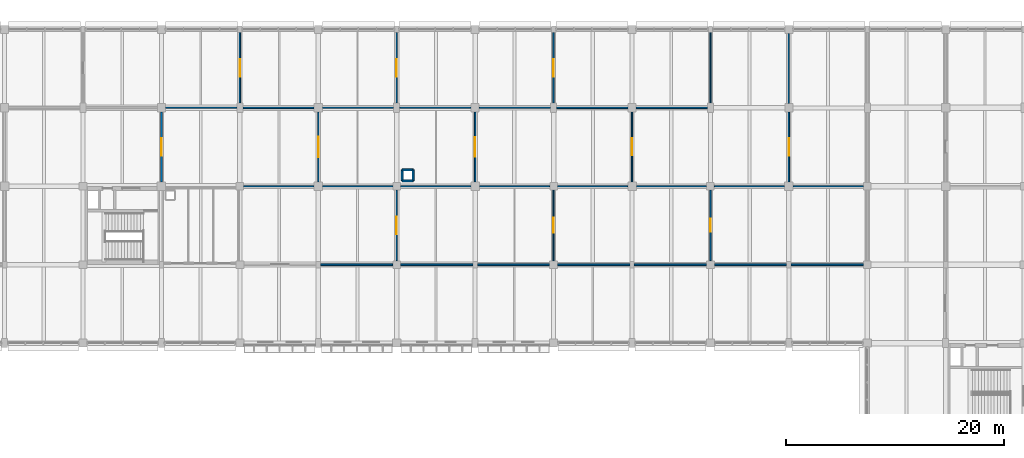
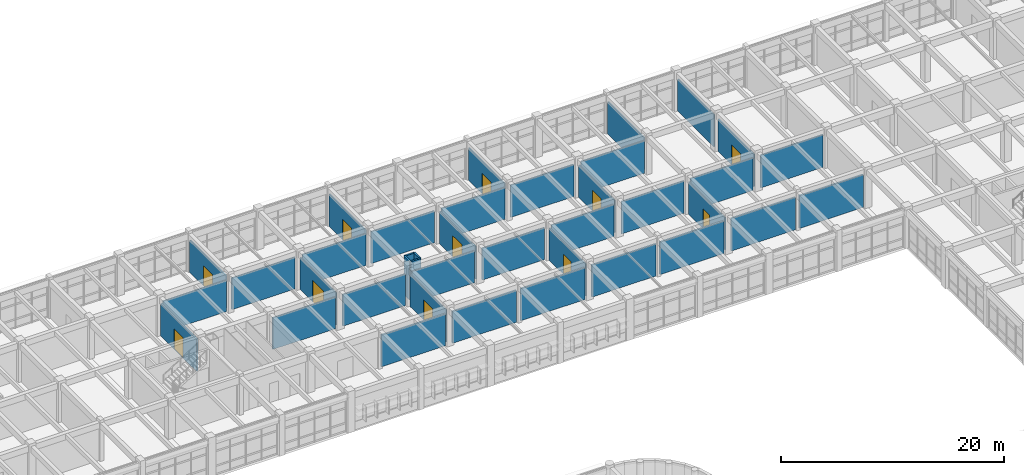
# One storey, part 158 of 171: 39 walls, 11 doors, 11 openings.
"""IFC4 building model written with IfcOpenShell, lengths in metres."""

from ifc_helpers import new_model, si_unit, direction, frame, frame_2d, origin, place, context, subcontext, project, spatial, rectangle, extrude, material, layer, layer_set, type_object, element, fill, save


model = new_model("IFC4")

# Units and contexts
model_context = context("Model", 3, precision=1e-05, world=origin(), true_north=direction((0.0, 1.0)))
body_context = subcontext(model_context, "Body", "Model", "MODEL_VIEW")
ifc_project = project(units=[si_unit("LENGTHUNIT", "METRE"), si_unit("AREAUNIT", "SQUARE_METRE"), si_unit("VOLUMEUNIT", "CUBIC_METRE"), si_unit("PLANEANGLEUNIT", "RADIAN"), si_unit("MASSUNIT", "GRAM", prefix="KILO")], contexts=[model_context])

# Site, building, storey
site_placement = place(None, origin())
site = spatial("IfcSite", under=ifc_project, at=site_placement, CompositionType="ELEMENT")
building_placement = place(site_placement, origin())
building = spatial("IfcBuilding", under=site, at=building_placement, Name="Thalmaran Polytechnic", CompositionType="ELEMENT")
storey_placement = place(building_placement, frame((0.0, 0.0, 5.39990234375)))
storey = spatial("IfcBuildingStorey", under=building, at=storey_placement, Name="L01", CompositionType="ELEMENT", Elevation=5.39990234375)

# Walls
ifc_material_1 = material(Name="Autoclaved aerated masonry", Category="masonry")
ifc_layer_1 = layer(ifc_material_1, 0.179931640625, Name="Autoclaved aerated masonry")
ifc_layer_set_1 = layer_set([ifc_layer_1], Name="Autoclaved aerated masonry")
wall_type_1 = type_object("IfcWallType", Name="WL-IW04", PredefinedType="PARTITIONING", material=ifc_layer_set_1)
for number, where, z_axis, x_axis, name in (
    (1, (86.889892578125, 108.489990234375, 0.0), (0.0, 0.0, 1.0), (1.0, 0.0, 0.0), "Fume Exhaust Riser Shaft Wall L01 (12,15)-S"),
    (2, (87.909912109375, 108.489990234375, 0.0), (0.0, 0.0, 1.0), (0.0, 1.0, 0.0), "Fume Exhaust Riser Shaft Wall L01 (12,15)-E"),
    (3, (87.909912109375, 109.510009765625, 0.0), (0.0, 0.0, 1.0), (-1.0, 0.0, 0.0), "Fume Exhaust Riser Shaft Wall L01 (12,15)-N"),
    (4, (86.889892578125, 109.510009765625, 0.0), (0.0, 0.0, 1.0), (0.0, -1.0, 0.0), "Fume Exhaust Riser Shaft Wall L01 (12,15)-W"),
):
    element("IfcWall", number, at=place(storey_placement, frame(where, z_axis=z_axis, x_axis=x_axis)), inside=storey, type_object=wall_type_1, Name=name, PredefinedType="PARTITIONING", context=body_context, shape_type="SweptSolid", body=[
        extrude(rectangle(XDim=1.02001953125, YDim=0.179931640625, at=frame_2d((0.510009765625, 0.0))), origin(), (0.0, 0.0, 1.0), 4.210205078125),
    ])

# Wall, opening, door
ifc_material_2 = material(Name="Gypsum acoustic partition")
ifc_layer_2 = layer(ifc_material_2, 0.159912109375, Name="Gypsum acoustic partition")
ifc_layer_set_2 = layer_set([ifc_layer_2], Name="Gypsum acoustic partition")
wall_type_2 = type_object("IfcWallType", Name="WL-IW05", PredefinedType="PARTITIONING", material=ifc_layer_set_2)
wall_1_placement = place(storey_placement, frame((64.800048828125, 108.39501953125, 0.0), z_axis=(0.0, 0.0, 1.0), x_axis=(0.0, 1.0, 0.0)))
wall_1 = element("IfcWall", 5, at=wall_1_placement, inside=storey, type_object=wall_type_2, Name="Interior Partition IW05 L01-074", PredefinedType="PARTITIONING", context=body_context, shape_type="SweptSolid", body=[
    extrude(rectangle(XDim=6.425048828125, YDim=0.159912109375, at=frame_2d((3.21240234375, 0.0))), origin(), (0.0, 0.0, 1.0), 3.525146484375),
])
opening_1_placement = place(wall_1_placement, frame((2.41259765625, 0.0, 0.0)))
opening_1 = element("IfcOpeningElement", 6, at=opening_1_placement, cuts=wall_1, Name="Opening D-L01-026-2-12-1", PredefinedType="OPENING", context=body_context, shape_type="SweptSolid", body=[
    extrude(rectangle(XDim=1.60009765625, YDim=2.199951171875, at=frame_2d((0.800048828125, 1.10009765625))), frame((0.0, 0.08984375, 0.0), z_axis=(0.0, -1.0, 0.0), x_axis=(1.0, 0.0, 0.0)), (0.0, 0.0, 1.0), 0.179931640625),
])
ifc_material_3 = material(Name="Powder-coated fire-rated steel", Category="steel")
door_type_1 = type_object("IfcDoorType", Name="DR-FD05", OperationType="NOTDEFINED", PredefinedType="DOOR", material=ifc_material_3)
door_1_placement = place(opening_1_placement, origin())
door_1 = element("IfcDoor", 7, at=door_1_placement, inside=storey, type_object=door_type_1, Name="Library Book Stacks L01-12 Door 1", OperationType="DOUBLE_DOOR_SINGLE_SWING", OverallHeight=2.199951171875, OverallWidth=1.60009765625, PredefinedType="DOOR", context=body_context, shape_type="SweptSolid", body=[
    extrude(rectangle(XDim=1.60009765625, YDim=2.199951171875, at=frame_2d((0.800048828125, 1.10009765625))), frame((0.0, 0.02490234375, 0.0), z_axis=(0.0, -1.0, 0.0), x_axis=(1.0, 0.0, 0.0)), (0.0, 0.0, 1.0), 0.050048828125),
])
fill(opening_1, door_1)

# Walls
wall_2_placement = place(storey_placement, frame((79.405029296875, 100.800048828125, 0.0), z_axis=(0.0, 0.0, 1.0), x_axis=(1.0, 0.0, 0.0)))
element("IfcWall", 8, at=wall_2_placement, inside=storey, type_object=wall_type_2, Name="Interior Partition IW05 L01-086", PredefinedType="PARTITIONING", context=body_context, shape_type="SweptSolid", body=[
    extrude(rectangle(XDim=6.6298828125, YDim=0.159912109375, at=frame_2d((3.31494140625, 0.0))), origin(), (0.0, 0.0, 1.0), 3.47021484375),
])
wall_3_placement = place(storey_placement, frame((86.764892578125, 100.800048828125, 0.0), z_axis=(0.0, 0.0, 1.0), x_axis=(1.0, 0.0, 0.0)))
element("IfcWall", 9, at=wall_3_placement, inside=storey, type_object=wall_type_2, Name="Interior Partition IW05 L01-092", PredefinedType="PARTITIONING", context=body_context, shape_type="SweptSolid", body=[
    extrude(rectangle(XDim=6.630126953125, YDim=0.159912109375, at=frame_2d((3.31494140625, 0.0))), origin(), (0.0, 0.0, 1.0), 3.485107421875),
])
wall_4_placement = place(storey_placement, frame((93.804931640625, 100.800048828125, 0.0), z_axis=(0.0, 0.0, 1.0), x_axis=(1.0, 0.0, 0.0)))
element("IfcWall", 10, at=wall_4_placement, inside=storey, type_object=wall_type_2, Name="Interior Partition IW05 L01-098", PredefinedType="PARTITIONING", context=body_context, shape_type="SweptSolid", body=[
    extrude(rectangle(XDim=6.630126953125, YDim=0.159912109375, at=frame_2d((3.31494140625, 0.0))), origin(), (0.0, 0.0, 1.0), 3.489990234375),
])
wall_5_placement = place(storey_placement, frame((101.1650390625, 100.800048828125, 0.0), z_axis=(0.0, 0.0, 1.0), x_axis=(1.0, 0.0, 0.0)))
element("IfcWall", 11, at=wall_5_placement, inside=storey, type_object=wall_type_2, Name="Interior Partition IW05 L01-109", PredefinedType="PARTITIONING", context=body_context, shape_type="SweptSolid", body=[
    extrude(rectangle(XDim=6.6298828125, YDim=0.159912109375, at=frame_2d((3.31494140625, 0.0))), origin(), (0.0, 0.0, 1.0), 3.510009765625),
])
wall_6_placement = place(storey_placement, frame((108.205078125, 100.800048828125, 0.0), z_axis=(0.0, 0.0, 1.0), x_axis=(1.0, 0.0, 0.0)))
element("IfcWall", 12, at=wall_6_placement, inside=storey, type_object=wall_type_2, Name="Interior Partition IW05 L01-113", PredefinedType="PARTITIONING", context=body_context, shape_type="SweptSolid", body=[
    extrude(rectangle(XDim=6.6298828125, YDim=0.159912109375, at=frame_2d((3.31494140625, 0.0))), origin(), (0.0, 0.0, 1.0), 3.550048828125),
])
wall_7_placement = place(storey_placement, frame((115.56494140625, 100.800048828125, 0.0), z_axis=(0.0, 0.0, 1.0), x_axis=(1.0, 0.0, 0.0)))
element("IfcWall", 13, at=wall_7_placement, inside=storey, type_object=wall_type_2, Name="Interior Partition IW05 L01-118", PredefinedType="PARTITIONING", context=body_context, shape_type="SweptSolid", body=[
    extrude(rectangle(XDim=6.630126953125, YDim=0.159912109375, at=frame_2d((3.31494140625, 0.0))), origin(), (0.0, 0.0, 1.0), 3.56005859375),
])
wall_8_placement = place(storey_placement, frame((122.60498046875, 100.800048828125, 0.0), z_axis=(0.0, 0.0, 1.0), x_axis=(1.0, 0.0, 0.0)))
element("IfcWall", 14, at=wall_8_placement, inside=storey, type_object=wall_type_2, Name="Interior Partition IW05 L01-122", PredefinedType="PARTITIONING", context=body_context, shape_type="SweptSolid", body=[
    extrude(rectangle(XDim=6.630126953125, YDim=0.159912109375, at=frame_2d((3.31494140625, 0.0))), origin(), (0.0, 0.0, 1.0), 3.570068359375),
])

# Wall, opening, door
ifc_layer_3 = layer(ifc_material_2, 0.1298828125, Name="Gypsum acoustic partition")
ifc_layer_set_3 = layer_set([ifc_layer_3], Name="Gypsum acoustic partition")
wall_type_3 = type_object("IfcWallType", Name="WL-IW07", PredefinedType="PARTITIONING", material=ifc_layer_set_3)
wall_9_placement = place(storey_placement, frame((72.0, 115.6298828125, 0.0), z_axis=(0.0, 0.0, 1.0), x_axis=(0.0, 1.0, 0.0)))
wall_9 = element("IfcWall", 15, at=wall_9_placement, inside=storey, type_object=wall_type_3, Name="Interior Partition IW07 L01-078", PredefinedType="PARTITIONING", context=body_context, shape_type="SweptSolid", body=[
    extrude(rectangle(XDim=6.465087890625, YDim=0.1298828125, at=frame_2d((3.232421875, 0.0))), origin(), (0.0, 0.0, 1.0), 3.52001953125),
])
opening_2_placement = place(wall_9_placement, frame((2.4326171875, 0.0, 0.0)))
opening_2 = element("IfcOpeningElement", 16, at=opening_2_placement, cuts=wall_9, Name="Opening D-L01-036-2-22-1", PredefinedType="OPENING", context=body_context, shape_type="SweptSolid", body=[
    extrude(rectangle(XDim=1.60009765625, YDim=2.199951171875, at=frame_2d((0.800048828125, 1.10009765625))), frame((0.0, 0.074951171875, 0.0), z_axis=(0.0, -1.0, 0.0), x_axis=(1.0, 0.0, 0.0)), (0.0, 0.0, 1.0), 0.14990234375),
])
door_2_placement = place(opening_2_placement, origin())
door_2 = element("IfcDoor", 17, at=door_2_placement, inside=storey, type_object=door_type_1, Name="Technical Reference Library Reading Room L01-22 Door 1", OperationType="DOUBLE_DOOR_SINGLE_SWING", OverallHeight=2.199951171875, OverallWidth=1.60009765625, PredefinedType="DOOR", context=body_context, shape_type="SweptSolid", body=[
    extrude(rectangle(XDim=1.60009765625, YDim=2.199951171875, at=frame_2d((0.800048828125, 1.10009765625))), frame((0.0, 0.02490234375, 0.0), z_axis=(0.0, -1.0, 0.0), x_axis=(1.0, 0.0, 0.0)), (0.0, 0.0, 1.0), 0.050048828125),
])
fill(opening_2, door_2)

# Walls
wall_10_placement = place(storey_placement, frame((72.35498046875, 108.0, 0.0), z_axis=(0.0, 0.0, 1.0), x_axis=(1.0, 0.0, 0.0)))
element("IfcWall", 18, at=wall_10_placement, inside=storey, type_object=wall_type_3, Name="Interior Partition IW07 L01-082", PredefinedType="PARTITIONING", context=body_context, shape_type="SweptSolid", body=[
    extrude(rectangle(XDim=6.449951171875, YDim=0.1298828125, at=frame_2d((3.22509765625, 0.0))), origin(), (0.0, 0.0, 1.0), 3.460205078125),
])
wall_11_placement = place(storey_placement, frame((72.280029296875, 115.199951171875, 0.0), z_axis=(0.0, 0.0, 1.0), x_axis=(1.0, 0.0, 0.0)))
element("IfcWall", 19, at=wall_11_placement, inside=storey, type_object=wall_type_3, Name="Interior Partition IW07 L01-084", PredefinedType="PARTITIONING", context=body_context, shape_type="SweptSolid", body=[
    extrude(rectangle(XDim=6.5400390625, YDim=0.1298828125, at=frame_2d((3.27001953125, 0.0))), origin(), (0.0, 0.0, 1.0), 3.460205078125),
])
wall_12_placement = place(storey_placement, frame((79.594970703125, 108.0, 0.0), z_axis=(0.0, 0.0, 1.0), x_axis=(1.0, 0.0, 0.0)))
element("IfcWall", 20, at=wall_12_placement, inside=storey, type_object=wall_type_3, Name="Interior Partition IW07 L01-088", PredefinedType="PARTITIONING", context=body_context, shape_type="SweptSolid", body=[
    extrude(rectangle(XDim=6.449951171875, YDim=0.1298828125, at=frame_2d((3.22509765625, 0.0))), origin(), (0.0, 0.0, 1.0), 3.47021484375),
])

# Wall, opening, door
wall_13_placement = place(storey_placement, frame((86.39990234375, 115.6298828125, 0.0), z_axis=(0.0, 0.0, 1.0), x_axis=(0.0, 1.0, 0.0)))
wall_13 = element("IfcWall", 21, at=wall_13_placement, inside=storey, type_object=wall_type_3, Name="Interior Partition IW07 L01-090", PredefinedType="PARTITIONING", context=body_context, shape_type="SweptSolid", body=[
    extrude(rectangle(XDim=6.465087890625, YDim=0.1298828125, at=frame_2d((3.232421875, 0.0))), origin(), (0.0, 0.0, 1.0), 3.52001953125),
])
opening_3_placement = place(wall_13_placement, frame((2.4326171875, 0.0, 0.0)))
opening_3 = element("IfcOpeningElement", 22, at=opening_3_placement, cuts=wall_13, Name="Opening D-L01-037-2-23-1", PredefinedType="OPENING", context=body_context, shape_type="SweptSolid", body=[
    extrude(rectangle(XDim=1.60009765625, YDim=2.199951171875, at=frame_2d((0.800048828125, 1.10009765625))), frame((0.0, 0.074951171875, 0.0), z_axis=(0.0, -1.0, 0.0), x_axis=(1.0, 0.0, 0.0)), (0.0, 0.0, 1.0), 0.14990234375),
])
door_3_placement = place(opening_3_placement, origin())
door_3 = element("IfcDoor", 23, at=door_3_placement, inside=storey, type_object=door_type_1, Name="Polytechnic Library Reading Hall L01-23 Door 1", OperationType="DOUBLE_DOOR_SINGLE_SWING", OverallHeight=2.199951171875, OverallWidth=1.60009765625, PredefinedType="DOOR", context=body_context, shape_type="SweptSolid", body=[
    extrude(rectangle(XDim=1.60009765625, YDim=2.199951171875, at=frame_2d((0.800048828125, 1.10009765625))), frame((0.0, 0.02490234375, 0.0), z_axis=(0.0, -1.0, 0.0), x_axis=(1.0, 0.0, 0.0)), (0.0, 0.0, 1.0), 0.050048828125),
])
fill(opening_3, door_3)

wall_14_placement = place(storey_placement, frame((93.60009765625, 108.39501953125, 0.0), z_axis=(0.0, 0.0, 1.0), x_axis=(0.0, 1.0, 0.0)))
wall_14 = element("IfcWall", 24, at=wall_14_placement, inside=storey, type_object=wall_type_3, Name="Interior Partition IW07 L01-094", PredefinedType="PARTITIONING", context=body_context, shape_type="SweptSolid", body=[
    extrude(rectangle(XDim=6.425048828125, YDim=0.1298828125, at=frame_2d((3.21240234375, 0.0))), origin(), (0.0, 0.0, 1.0), 3.525146484375),
])
opening_4_placement = place(wall_14_placement, frame((2.33251953125, 0.0, 0.0)))
opening_4 = element("IfcOpeningElement", 25, at=opening_4_placement, cuts=wall_14, Name="Opening D-L01-028-2-14-1", PredefinedType="OPENING", context=body_context, shape_type="SweptSolid", body=[
    extrude(rectangle(XDim=1.760009765625, YDim=2.300048828125, at=frame_2d((0.8798828125, 1.14990234375))), frame((0.0, 0.074951171875, 0.0), z_axis=(0.0, -1.0, 0.0), x_axis=(1.0, 0.0, 0.0)), (0.0, 0.0, 1.0), 0.14990234375),
])
ifc_material_4 = material(Name="Acoustic hardwood and vision glass", Category="wood")
door_type_2 = type_object("IfcDoorType", Name="DR-ZD02", OperationType="NOTDEFINED", PredefinedType="DOOR", material=ifc_material_4)
door_4_placement = place(opening_4_placement, origin())
door_4 = element("IfcDoor", 26, at=door_4_placement, inside=storey, type_object=door_type_2, Name="Seminar Room L01-14 Door 1", OperationType="SINGLE_SWING_LEFT", OverallHeight=2.300048828125, OverallWidth=1.760009765625, PredefinedType="DOOR", context=body_context, shape_type="SweptSolid", body=[
    extrude(rectangle(XDim=1.760009765625, YDim=2.300048828125, at=frame_2d((0.8798828125, 1.14990234375))), frame((0.0, 0.02490234375, 0.0), z_axis=(0.0, -1.0, 0.0), x_axis=(1.0, 0.0, 0.0)), (0.0, 0.0, 1.0), 0.050048828125),
])
fill(opening_4, door_4)

# Wall
wall_15_placement = place(storey_placement, frame((93.9951171875, 108.0, 0.0), z_axis=(0.0, 0.0, 1.0), x_axis=(1.0, 0.0, 0.0)))
element("IfcWall", 27, at=wall_15_placement, inside=storey, type_object=wall_type_3, Name="Interior Partition IW07 L01-100", PredefinedType="PARTITIONING", context=body_context, shape_type="SweptSolid", body=[
    extrude(rectangle(XDim=6.449951171875, YDim=0.1298828125, at=frame_2d((3.22509765625, 0.0))), origin(), (0.0, 0.0, 1.0), 3.489990234375),
])

# Wall, opening, door
wall_16_placement = place(storey_placement, frame((100.800048828125, 115.6298828125, 0.0), z_axis=(0.0, 0.0, 1.0), x_axis=(0.0, 1.0, 0.0)))
wall_16 = element("IfcWall", 28, at=wall_16_placement, inside=storey, type_object=wall_type_3, Name="Interior Partition IW07 L01-102", PredefinedType="PARTITIONING", context=body_context, shape_type="SweptSolid", body=[
    extrude(rectangle(XDim=6.465087890625, YDim=0.1298828125, at=frame_2d((3.232421875, 0.0))), origin(), (0.0, 0.0, 1.0), 3.52001953125),
])
opening_5_placement = place(wall_16_placement, frame((2.4326171875, 0.0, 0.0)))
opening_5 = element("IfcOpeningElement", 29, at=opening_5_placement, cuts=wall_16, Name="Opening D-L01-038-2-24-1", PredefinedType="OPENING", context=body_context, shape_type="SweptSolid", body=[
    extrude(rectangle(XDim=1.60009765625, YDim=2.199951171875, at=frame_2d((0.800048828125, 1.10009765625))), frame((0.0, 0.074951171875, 0.0), z_axis=(0.0, -1.0, 0.0), x_axis=(1.0, 0.0, 0.0)), (0.0, 0.0, 1.0), 0.14990234375),
])
door_5_placement = place(opening_5_placement, origin())
door_5 = element("IfcDoor", 30, at=door_5_placement, inside=storey, type_object=door_type_1, Name="Library Book Stacks L01-24 Door 1", OperationType="DOUBLE_DOOR_SINGLE_SWING", OverallHeight=2.199951171875, OverallWidth=1.60009765625, PredefinedType="DOOR", context=body_context, shape_type="SweptSolid", body=[
    extrude(rectangle(XDim=1.60009765625, YDim=2.199951171875, at=frame_2d((0.800048828125, 1.10009765625))), frame((0.0, 0.02490234375, 0.0), z_axis=(0.0, -1.0, 0.0), x_axis=(1.0, 0.0, 0.0)), (0.0, 0.0, 1.0), 0.050048828125),
])
fill(opening_5, door_5)

# Walls
wall_17_placement = place(storey_placement, frame((101.155029296875, 108.0, 0.0), z_axis=(0.0, 0.0, 1.0), x_axis=(1.0, 0.0, 0.0)))
element("IfcWall", 31, at=wall_17_placement, inside=storey, type_object=wall_type_3, Name="Interior Partition IW07 L01-110", PredefinedType="PARTITIONING", context=body_context, shape_type="SweptSolid", body=[
    extrude(rectangle(XDim=6.449951171875, YDim=0.1298828125, at=frame_2d((3.22509765625, 0.0))), origin(), (0.0, 0.0, 1.0), 3.510009765625),
])
wall_18_placement = place(storey_placement, frame((101.080078125, 115.199951171875, 0.0), z_axis=(0.0, 0.0, 1.0), x_axis=(1.0, 0.0, 0.0)))
element("IfcWall", 32, at=wall_18_placement, inside=storey, type_object=wall_type_3, Name="Interior Partition IW07 L01-112", PredefinedType="PARTITIONING", context=body_context, shape_type="SweptSolid", body=[
    extrude(rectangle(XDim=6.5400390625, YDim=0.1298828125, at=frame_2d((3.27001953125, 0.0))), origin(), (0.0, 0.0, 1.0), 3.510009765625),
])

# Wall, opening, door
wall_19_placement = place(storey_placement, frame((115.199951171875, 101.1650390625, 0.0), z_axis=(0.0, 0.0, 1.0), x_axis=(0.0, 1.0, 0.0)))
wall_19 = element("IfcWall", 33, at=wall_19_placement, inside=storey, type_object=wall_type_3, Name="Interior Partition IW07 L01-114", PredefinedType="PARTITIONING", context=body_context, shape_type="SweptSolid", body=[
    extrude(rectangle(XDim=6.47998046875, YDim=0.1298828125, at=frame_2d((3.239990234375, 0.0))), origin(), (0.0, 0.0, 1.0), 3.525146484375),
])
opening_6_placement = place(wall_19_placement, frame((2.64990234375, 0.0, 0.0)))
opening_6 = element("IfcOpeningElement", 34, at=opening_6_placement, cuts=wall_19, Name="Opening D-L01-022-2-08-1", PredefinedType="OPENING", context=body_context, shape_type="SweptSolid", body=[
    extrude(rectangle(XDim=1.179931640625, YDim=2.179931640625, at=frame_2d((0.58984375, 1.08984375))), frame((0.0, 0.074951171875, 0.0), z_axis=(0.0, -1.0, 0.0), x_axis=(1.0, 0.0, 0.0)), (0.0, 0.0, 1.0), 0.14990234375),
])
ifc_material_5 = material(Name="Acoustic hardwood", Category="wood")
door_type_3 = type_object("IfcDoorType", Name="DR-ZD05", OperationType="NOTDEFINED", PredefinedType="DOOR", material=ifc_material_5)
door_6_placement = place(opening_6_placement, origin())
door_6 = element("IfcDoor", 35, at=door_6_placement, inside=storey, type_object=door_type_3, Name="Seminar Room L01-08 Door 1", OperationType="SINGLE_SWING_RIGHT", OverallHeight=2.179931640625, OverallWidth=1.179931640625, PredefinedType="DOOR", context=body_context, shape_type="SweptSolid", body=[
    extrude(rectangle(XDim=1.179931640625, YDim=2.179931640625, at=frame_2d((0.58984375, 1.08984375))), frame((0.0, 0.02490234375, 0.0), z_axis=(0.0, -1.0, 0.0), x_axis=(1.0, 0.0, 0.0)), (0.0, 0.0, 1.0), 0.050048828125),
])
fill(opening_6, door_6)

# Wall
wall_20_placement = place(storey_placement, frame((108.3798828125, 115.199951171875, 0.0), z_axis=(0.0, 0.0, 1.0), x_axis=(1.0, 0.0, 0.0)))
element("IfcWall", 36, at=wall_20_placement, inside=storey, type_object=wall_type_3, Name="Interior Partition IW07 L01-116", PredefinedType="PARTITIONING", context=body_context, shape_type="SweptSolid", body=[
    extrude(rectangle(XDim=6.5400390625, YDim=0.1298828125, at=frame_2d((3.27001953125, 0.0))), origin(), (0.0, 0.0, 1.0), 3.550048828125),
])

# Wall, opening, door
wall_21_placement = place(storey_placement, frame((122.39990234375, 108.39501953125, 0.0), z_axis=(0.0, 0.0, 1.0), x_axis=(0.0, 1.0, 0.0)))
wall_21 = element("IfcWall", 37, at=wall_21_placement, inside=storey, type_object=wall_type_3, Name="Interior Partition IW07 L01-120", PredefinedType="PARTITIONING", context=body_context, shape_type="SweptSolid", body=[
    extrude(rectangle(XDim=6.425048828125, YDim=0.1298828125, at=frame_2d((3.21240234375, 0.0))), origin(), (0.0, 0.0, 1.0), 3.525146484375),
])
opening_7_placement = place(wall_21_placement, frame((2.41259765625, 0.0, 0.0)))
opening_7 = element("IfcOpeningElement", 38, at=opening_7_placement, cuts=wall_21, Name="Opening D-L01-030-2-16-1", PredefinedType="OPENING", context=body_context, shape_type="SweptSolid", body=[
    extrude(rectangle(XDim=1.60009765625, YDim=2.199951171875, at=frame_2d((0.800048828125, 1.10009765625))), frame((0.0, 0.074951171875, 0.0), z_axis=(0.0, -1.0, 0.0), x_axis=(1.0, 0.0, 0.0)), (0.0, 0.0, 1.0), 0.14990234375),
])
door_7_placement = place(opening_7_placement, origin())
door_7 = element("IfcDoor", 39, at=door_7_placement, inside=storey, type_object=door_type_1, Name="Technical Reference Library Reading Room L01-16 Door 1", OperationType="DOUBLE_DOOR_SINGLE_SWING", OverallHeight=2.199951171875, OverallWidth=1.60009765625, PredefinedType="DOOR", context=body_context, shape_type="SweptSolid", body=[
    extrude(rectangle(XDim=1.60009765625, YDim=2.199951171875, at=frame_2d((0.800048828125, 1.10009765625))), frame((0.0, 0.02490234375, 0.0), z_axis=(0.0, -1.0, 0.0), x_axis=(1.0, 0.0, 0.0)), (0.0, 0.0, 1.0), 0.050048828125),
])
fill(opening_7, door_7)

# Walls
wall_22_placement = place(storey_placement, frame((122.794921875, 108.0, 0.0), z_axis=(0.0, 0.0, 1.0), x_axis=(1.0, 0.0, 0.0)))
element("IfcWall", 40, at=wall_22_placement, inside=storey, type_object=wall_type_3, Name="Interior Partition IW07 L01-124", PredefinedType="PARTITIONING", context=body_context, shape_type="SweptSolid", body=[
    extrude(rectangle(XDim=6.4501953125, YDim=0.1298828125, at=frame_2d((3.22509765625, 0.0))), origin(), (0.0, 0.0, 1.0), 3.570068359375),
])
ifc_layer_4 = layer(ifc_material_2, 0.114990234375, Name="Gypsum acoustic partition")
ifc_layer_set_4 = layer_set([ifc_layer_4], Name="Gypsum acoustic partition")
wall_type_4 = type_object("IfcWallType", Name="WL-IW08", PredefinedType="PARTITIONING", material=ifc_layer_set_4)
wall_23_placement = place(storey_placement, frame((65.179931640625, 115.199951171875, 0.0), z_axis=(0.0, 0.0, 1.0), x_axis=(1.0, 0.0, 0.0)))
element("IfcWall", 41, at=wall_23_placement, inside=storey, type_object=wall_type_4, Name="Interior Partition IW08 L01-077", PredefinedType="PARTITIONING", context=body_context, shape_type="SweptSolid", body=[
    extrude(rectangle(XDim=6.5400390625, YDim=0.114990234375, at=frame_2d((3.27001953125, 0.0))), origin(), (0.0, 0.0, 1.0), 3.43017578125),
])

# Wall, opening, door
wall_24_placement = place(storey_placement, frame((79.199951171875, 108.39501953125, 0.0), z_axis=(0.0, 0.0, 1.0), x_axis=(0.0, 1.0, 0.0)))
wall_24 = element("IfcWall", 42, at=wall_24_placement, inside=storey, type_object=wall_type_4, Name="Interior Partition IW08 L01-083", PredefinedType="PARTITIONING", context=body_context, shape_type="SweptSolid", body=[
    extrude(rectangle(XDim=6.425048828125, YDim=0.114990234375, at=frame_2d((3.21240234375, 0.0))), origin(), (0.0, 0.0, 1.0), 3.525146484375),
])
opening_8_placement = place(wall_24_placement, frame((2.25244140625, 0.0, 0.0)))
opening_8 = element("IfcOpeningElement", 43, at=opening_8_placement, cuts=wall_24, Name="Opening D-L01-027-2-13-1", PredefinedType="OPENING", context=body_context, shape_type="SweptSolid", body=[
    extrude(rectangle(XDim=1.919921875, YDim=2.35009765625, at=frame_2d((0.9599609375, 1.175048828125))), frame((0.0, 0.0673828125, 0.0), z_axis=(0.0, -1.0, 0.0), x_axis=(1.0, 0.0, 0.0)), (0.0, 0.0, 1.0), 0.135009765625),
])
door_type_4 = type_object("IfcDoorType", Name="DR-ZD01", OperationType="NOTDEFINED", PredefinedType="DOOR", material=ifc_material_4)
door_8_placement = place(opening_8_placement, origin())
door_8 = element("IfcDoor", 44, at=door_8_placement, inside=storey, type_object=door_type_4, Name="Digital Learning Commons L01-13 Door 1", OperationType="SINGLE_SWING_RIGHT", OverallHeight=2.35009765625, OverallWidth=1.919921875, PredefinedType="DOOR", context=body_context, shape_type="SweptSolid", body=[
    extrude(rectangle(XDim=1.919921875, YDim=2.35009765625, at=frame_2d((0.9599609375, 1.175048828125))), frame((0.0, 0.02490234375, 0.0), z_axis=(0.0, -1.0, 0.0), x_axis=(1.0, 0.0, 0.0)), (0.0, 0.0, 1.0), 0.050048828125),
])
fill(opening_8, door_8)

wall_25_placement = place(storey_placement, frame((86.39990234375, 101.1650390625, 0.0), z_axis=(0.0, 0.0, 1.0), x_axis=(0.0, 1.0, 0.0)))
wall_25 = element("IfcWall", 45, at=wall_25_placement, inside=storey, type_object=wall_type_4, Name="Interior Partition IW08 L01-087", PredefinedType="PARTITIONING", context=body_context, shape_type="SweptSolid", body=[
    extrude(rectangle(XDim=6.47998046875, YDim=0.114990234375, at=frame_2d((3.239990234375, 0.0))), origin(), (0.0, 0.0, 1.0), 3.525146484375),
])
opening_9_placement = place(wall_25_placement, frame((2.43994140625, 0.0, 0.0)))
opening_9 = element("IfcOpeningElement", 46, at=opening_9_placement, cuts=wall_25, Name="Opening D-L01-020-2-06-1", PredefinedType="OPENING", context=body_context, shape_type="SweptSolid", body=[
    extrude(rectangle(XDim=1.60009765625, YDim=2.199951171875, at=frame_2d((0.800048828125, 1.10009765625))), frame((0.0, 0.0673828125, 0.0), z_axis=(0.0, -1.0, 0.0), x_axis=(1.0, 0.0, 0.0)), (0.0, 0.0, 1.0), 0.135009765625),
])
door_9_placement = place(opening_9_placement, origin())
door_9 = element("IfcDoor", 47, at=door_9_placement, inside=storey, type_object=door_type_1, Name="Library Book Stacks L01-06 Door 1", OperationType="DOUBLE_DOOR_SINGLE_SWING", OverallHeight=2.199951171875, OverallWidth=1.60009765625, PredefinedType="DOOR", context=body_context, shape_type="SweptSolid", body=[
    extrude(rectangle(XDim=1.60009765625, YDim=2.199951171875, at=frame_2d((0.800048828125, 1.10009765625))), frame((0.0, 0.02490234375, 0.0), z_axis=(0.0, -1.0, 0.0), x_axis=(1.0, 0.0, 0.0)), (0.0, 0.0, 1.0), 0.050048828125),
])
fill(opening_9, door_9)

# Walls
wall_26_placement = place(storey_placement, frame((79.580078125, 115.199951171875, 0.0), z_axis=(0.0, 0.0, 1.0), x_axis=(1.0, 0.0, 0.0)))
element("IfcWall", 48, at=wall_26_placement, inside=storey, type_object=wall_type_4, Name="Interior Partition IW08 L01-089", PredefinedType="PARTITIONING", context=body_context, shape_type="SweptSolid", body=[
    extrude(rectangle(XDim=6.5400390625, YDim=0.114990234375, at=frame_2d((3.27001953125, 0.0))), origin(), (0.0, 0.0, 1.0), 3.47021484375),
])
wall_27_placement = place(storey_placement, frame((86.7548828125, 108.0, 0.0), z_axis=(0.0, 0.0, 1.0), x_axis=(1.0, 0.0, 0.0)))
element("IfcWall", 49, at=wall_27_placement, inside=storey, type_object=wall_type_4, Name="Interior Partition IW08 L01-093", PredefinedType="PARTITIONING", context=body_context, shape_type="SweptSolid", body=[
    extrude(rectangle(XDim=6.4501953125, YDim=0.114990234375, at=frame_2d((3.22509765625, 0.0))), origin(), (0.0, 0.0, 1.0), 3.485107421875),
])
wall_28_placement = place(storey_placement, frame((86.679931640625, 115.199951171875, 0.0), z_axis=(0.0, 0.0, 1.0), x_axis=(1.0, 0.0, 0.0)))
element("IfcWall", 50, at=wall_28_placement, inside=storey, type_object=wall_type_4, Name="Interior Partition IW08 L01-095", PredefinedType="PARTITIONING", context=body_context, shape_type="SweptSolid", body=[
    extrude(rectangle(XDim=6.5400390625, YDim=0.114990234375, at=frame_2d((3.27001953125, 0.0))), origin(), (0.0, 0.0, 1.0), 3.485107421875),
])

# Wall, opening, door
wall_29_placement = place(storey_placement, frame((100.800048828125, 101.1650390625, 0.0), z_axis=(0.0, 0.0, 1.0), x_axis=(0.0, 1.0, 0.0)))
wall_29 = element("IfcWall", 51, at=wall_29_placement, inside=storey, type_object=wall_type_4, Name="Interior Partition IW08 L01-099", PredefinedType="PARTITIONING", context=body_context, shape_type="SweptSolid", body=[
    extrude(rectangle(XDim=6.47998046875, YDim=0.114990234375, at=frame_2d((3.239990234375, 0.0))), origin(), (0.0, 0.0, 1.0), 3.525146484375),
])
opening_10_placement = place(wall_29_placement, frame((2.550048828125, 0.0, 0.0)))
opening_10 = element("IfcOpeningElement", 52, at=opening_10_placement, cuts=wall_29, Name="Opening D-L01-021-2-07-1", PredefinedType="OPENING", context=body_context, shape_type="SweptSolid", body=[
    extrude(rectangle(XDim=1.3798828125, YDim=2.219970703125, at=frame_2d((0.68994140625, 1.10986328125))), frame((0.0, 0.0673828125, 0.0), z_axis=(0.0, -1.0, 0.0), x_axis=(1.0, 0.0, 0.0)), (0.0, 0.0, 1.0), 0.135009765625),
])
door_type_5 = type_object("IfcDoorType", Name="DR-ZD04", OperationType="NOTDEFINED", PredefinedType="DOOR", material=ifc_material_4)
door_10_placement = place(opening_10_placement, origin())
door_10 = element("IfcDoor", 53, at=door_10_placement, inside=storey, type_object=door_type_5, Name="Digital Learning Commons L01-07 Door 1", OperationType="SINGLE_SWING_LEFT", OverallHeight=2.219970703125, OverallWidth=1.3798828125, PredefinedType="DOOR", context=body_context, shape_type="SweptSolid", body=[
    extrude(rectangle(XDim=1.3798828125, YDim=2.219970703125, at=frame_2d((0.68994140625, 1.10986328125))), frame((0.0, 0.02490234375, 0.0), z_axis=(0.0, -1.0, 0.0), x_axis=(1.0, 0.0, 0.0)), (0.0, 0.0, 1.0), 0.050048828125),
])
fill(opening_10, door_10)

# Wall
wall_30_placement = place(storey_placement, frame((93.97998046875, 115.199951171875, 0.0), z_axis=(0.0, 0.0, 1.0), x_axis=(1.0, 0.0, 0.0)))
element("IfcWall", 54, at=wall_30_placement, inside=storey, type_object=wall_type_4, Name="Interior Partition IW08 L01-101", PredefinedType="PARTITIONING", context=body_context, shape_type="SweptSolid", body=[
    extrude(rectangle(XDim=6.5400390625, YDim=0.114990234375, at=frame_2d((3.27001953125, 0.0))), origin(), (0.0, 0.0, 1.0), 3.489990234375),
])

# Wall, opening, door
wall_31_placement = place(storey_placement, frame((108.0, 108.39501953125, 0.0), z_axis=(0.0, 0.0, 1.0), x_axis=(0.0, 1.0, 0.0)))
wall_31 = element("IfcWall", 55, at=wall_31_placement, inside=storey, type_object=wall_type_4, Name="Interior Partition IW08 L01-111", PredefinedType="PARTITIONING", context=body_context, shape_type="SweptSolid", body=[
    extrude(rectangle(XDim=6.425048828125, YDim=0.114990234375, at=frame_2d((3.21240234375, 0.0))), origin(), (0.0, 0.0, 1.0), 3.525146484375),
])
opening_11_placement = place(wall_31_placement, frame((2.4326171875, 0.0, 0.0)))
opening_11 = element("IfcOpeningElement", 56, at=opening_11_placement, cuts=wall_31, Name="Opening D-L01-029-2-15-1", PredefinedType="OPENING", context=body_context, shape_type="SweptSolid", body=[
    extrude(rectangle(XDim=1.56005859375, YDim=2.25, at=frame_2d((0.780029296875, 1.125))), frame((0.0, 0.0673828125, 0.0), z_axis=(0.0, -1.0, 0.0), x_axis=(1.0, 0.0, 0.0)), (0.0, 0.0, 1.0), 0.135009765625),
])
door_type_6 = type_object("IfcDoorType", Name="DR-ZD03", OperationType="NOTDEFINED", PredefinedType="DOOR", material=ifc_material_4)
door_11_placement = place(opening_11_placement, origin())
door_11 = element("IfcDoor", 57, at=door_11_placement, inside=storey, type_object=door_type_6, Name="Urban Design Studio L01-15 Door 1", OperationType="SINGLE_SWING_RIGHT", OverallHeight=2.25, OverallWidth=1.56005859375, PredefinedType="DOOR", context=body_context, shape_type="SweptSolid", body=[
    extrude(rectangle(XDim=1.56005859375, YDim=2.25, at=frame_2d((0.780029296875, 1.125))), frame((0.0, 0.02490234375, 0.0), z_axis=(0.0, -1.0, 0.0), x_axis=(1.0, 0.0, 0.0)), (0.0, 0.0, 1.0), 0.050048828125),
])
fill(opening_11, door_11)

# Walls
wall_32_placement = place(storey_placement, frame((108.39501953125, 108.0, 0.0), z_axis=(0.0, 0.0, 1.0), x_axis=(1.0, 0.0, 0.0)))
element("IfcWall", 58, at=wall_32_placement, inside=storey, type_object=wall_type_4, Name="Interior Partition IW08 L01-115", PredefinedType="PARTITIONING", context=body_context, shape_type="SweptSolid", body=[
    extrude(rectangle(XDim=6.449951171875, YDim=0.114990234375, at=frame_2d((3.22509765625, 0.0))), origin(), (0.0, 0.0, 1.0), 3.550048828125),
])
wall_33_placement = place(storey_placement, frame((115.199951171875, 115.6298828125, 0.0), z_axis=(0.0, 0.0, 1.0), x_axis=(0.0, 1.0, 0.0)))
element("IfcWall", 59, at=wall_33_placement, inside=storey, type_object=wall_type_4, Name="Interior Partition IW08 L01-117", PredefinedType="PARTITIONING", context=body_context, shape_type="SweptSolid", body=[
    extrude(rectangle(XDim=6.465087890625, YDim=0.114990234375, at=frame_2d((3.232421875, 0.0))), origin(), (0.0, 0.0, 1.0), 3.52001953125),
])
wall_34_placement = place(storey_placement, frame((115.554931640625, 108.0, 0.0), z_axis=(0.0, 0.0, 1.0), x_axis=(1.0, 0.0, 0.0)))
element("IfcWall", 60, at=wall_34_placement, inside=storey, type_object=wall_type_4, Name="Interior Partition IW08 L01-119", PredefinedType="PARTITIONING", context=body_context, shape_type="SweptSolid", body=[
    extrude(rectangle(XDim=6.449951171875, YDim=0.114990234375, at=frame_2d((3.22509765625, 0.0))), origin(), (0.0, 0.0, 1.0), 3.56005859375),
])
wall_35_placement = place(storey_placement, frame((122.39990234375, 115.580078125, 0.0), z_axis=(0.0, 0.0, 1.0), x_axis=(0.0, 1.0, 0.0)))
element("IfcWall", 61, at=wall_35_placement, inside=storey, type_object=wall_type_4, Name="Interior Partition IW08 L01-121", PredefinedType="PARTITIONING", context=body_context, shape_type="SweptSolid", body=[
    extrude(rectangle(XDim=6.454833984375, YDim=0.114990234375, at=frame_2d((3.2275390625, 0.0))), origin(), (0.0, 0.0, 1.0), 3.52001953125),
])

save(model, "model.ifc")
